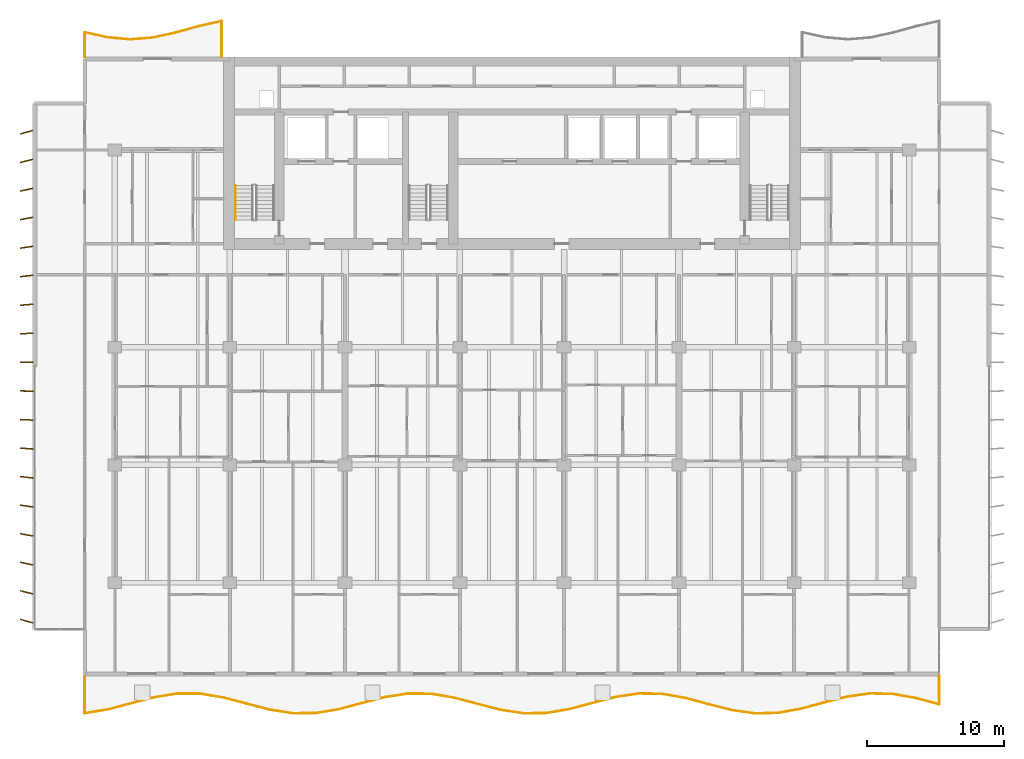
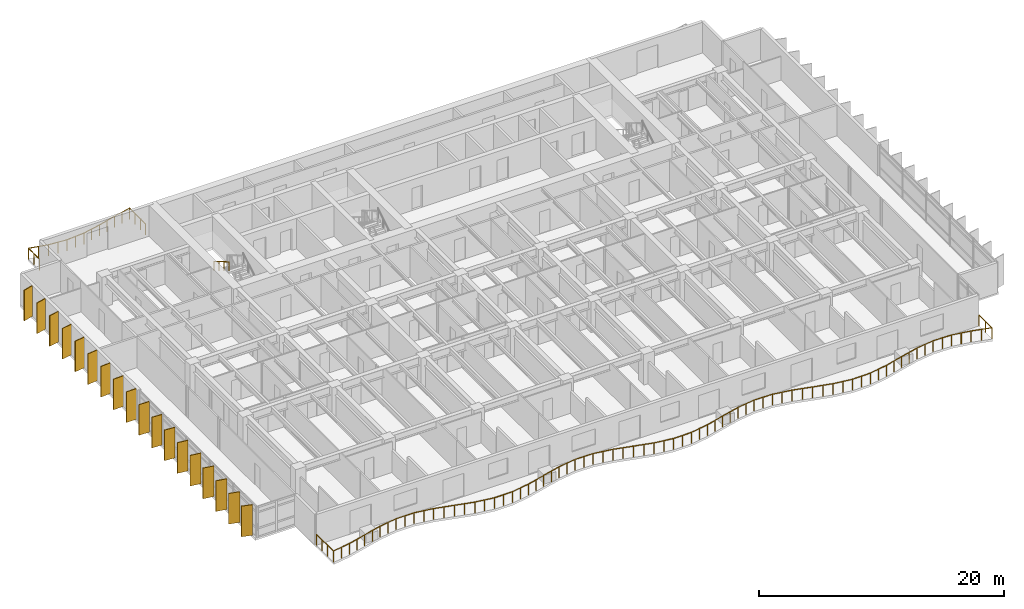
# One storey, part 15 of 18: 18 shading devices, 3 railings.
"""IFC4 building model written with IfcOpenShell, lengths in metres."""

from ifc_helpers import new_model, si_unit, direction, frame, origin, origin_2d, place, context, subcontext, project, spatial, rectangle, circle, extrude, material, material_profile, profile_set, type_object, element, save


model = new_model("IFC4")

# Units and contexts
model_context = context("Model", 3, precision=1e-05, world=origin(), true_north=direction((0.0, 1.0)))
body_context = subcontext(model_context, "Body", "Model", "MODEL_VIEW")
ifc_project = project(units=[si_unit("LENGTHUNIT", "METRE"), si_unit("AREAUNIT", "SQUARE_METRE"), si_unit("VOLUMEUNIT", "CUBIC_METRE"), si_unit("PLANEANGLEUNIT", "RADIAN"), si_unit("MASSUNIT", "GRAM", prefix="KILO")], contexts=[model_context])

# Site, building, storey
site_placement = place(None, origin())
site = spatial("IfcSite", under=ifc_project, at=site_placement, CompositionType="ELEMENT")
building_placement = place(site_placement, origin())
building = spatial("IfcBuilding", under=site, at=building_placement, Name="Caelmar Bay Residences", CompositionType="ELEMENT")
storey_placement = place(building_placement, frame((0.0, 0.0, 125.699951171875)))
storey = spatial("IfcBuildingStorey", under=building, at=storey_placement, Name="L34", CompositionType="ELEMENT", Elevation=125.699951171875)

# Railings
ifc_material_1 = material(Name="Anodised bronze handrail with laminated hurricane glass infill", Category="glass")
railing_type_1 = type_object("IfcRailingType", Name="RL-BAL-1100", PredefinedType="BALUSTRADE", material=ifc_material_1)
railing_1_placement = place(storey_placement, frame((7.699951171875, 5.39990234375, 0.0)))
element("IfcRailing", 1, at=railing_1_placement, inside=storey, type_object=railing_type_1, Name="L34 south Balcony Balustrade", PredefinedType="BALUSTRADE", context=body_context, shape_type="SweptSolid", body=[
    extrude(circle(Radius=0.02392578125, at=origin_2d()), frame((0.0, 0.0, 1.076171875), z_axis=(0.0, -1.0, 0.0), x_axis=(1.0, 0.0, 0.0)), (0.0, 0.0, 1.0), 2.733154296875),
    extrude(circle(Radius=0.02392578125, at=origin_2d()), frame((0.0, -2.733154296875, 1.076171875), z_axis=(0.987065173656, 0.160319502728, 0.0), x_axis=(-0.160319502728, 0.987065173656, 0.0)), (0.0, 0.0, 1.0), 1.708740234375),
    extrude(circle(Radius=0.02392578125, at=origin_2d()), frame((1.6865234375, -2.459228515625, 1.076171875), z_axis=(0.967208611975, 0.253983268981, 0.0), x_axis=(-0.253983268981, 0.967208611975, 0.0)), (0.0, 0.0, 1.0), 1.74365234375),
    extrude(circle(Radius=0.02392578125, at=origin_2d()), frame((3.373046875, -2.016357421875, 1.076171875), z_axis=(0.967380394838, 0.253328189673, 0.0), x_axis=(-0.253328189673, 0.967380394838, 0.0)), (0.0, 0.0, 1.0), 1.743408203125),
    extrude(circle(Radius=0.02392578125, at=origin_2d()), frame((5.0595703125, -1.57470703125, 1.076171875), z_axis=(0.987398669265, 0.158252544792, 0.0), x_axis=(-0.158252544792, 0.987398669265, 0.0)), (0.0, 0.0, 1.0), 1.707763671875),
    extrude(circle(Radius=0.02392578125, at=origin_2d()), frame((6.745849609375, -1.304443359375, 1.076171875), z_axis=(0.999995379373, -0.00303993963, 0.0), x_axis=(0.00303993963, 0.999995379373, 0.0)), (0.0, 0.0, 1.0), 1.6865234375),
    extrude(circle(Radius=0.02392578125, at=origin_2d()), frame((8.432373046875, -1.3095703125, 1.076171875), z_axis=(0.986655160989, -0.162823810586, 0.0), x_axis=(0.162823810586, 0.986655160989, 0.0)), (0.0, 0.0, 1.0), 1.709228515625),
    extrude(circle(Radius=0.02392578125, at=origin_2d()), frame((10.118896484375, -1.587890625, 1.076171875), z_axis=(0.966932964521, -0.255030668986, 0.0), x_axis=(0.255030668986, 0.966932964521, 0.0)), (0.0, 0.0, 1.0), 1.744140625),
    extrude(circle(Radius=0.02392578125, at=origin_2d()), frame((11.805419921875, -2.03271484375, 1.076171875), z_axis=(0.967654450577, -0.252279337795, 0.0), x_axis=(0.252279337795, 0.967654450577, 0.0)), (0.0, 0.0, 1.0), 1.742919921875),
    extrude(circle(Radius=0.02392578125, at=origin_2d()), frame((13.491943359375, -2.472412109375, 1.076171875), z_axis=(0.987823182146, -0.155580721218, 0.0), x_axis=(0.155580721218, 0.987823182146, 0.0)), (0.0, 0.0, 1.0), 1.707275390625),
    extrude(circle(Radius=0.02392578125, at=origin_2d()), frame((15.178466796875, -2.738037109375, 1.076171875), z_axis=(0.999979715819, 0.006369297553, 0.0), x_axis=(-0.006369297553, 0.999979715819, 0.0)), (0.0, 0.0, 1.0), 1.6865234375),
    extrude(circle(Radius=0.02392578125, at=origin_2d()), frame((16.864990234375, -2.727294921875, 1.076171875), z_axis=(0.986215858192, 0.165463836081, 0.0), x_axis=(-0.165463836081, 0.986215858192, 0.0)), (0.0, 0.0, 1.0), 1.710205078125),
    extrude(circle(Radius=0.02392578125, at=origin_2d()), frame((18.551513671875, -2.4443359375, 1.076171875), z_axis=(0.966716428408, 0.255850243395, 0.0), x_axis=(-0.255850243395, 0.966716428408, 0.0)), (0.0, 0.0, 1.0), 1.744384765625),
    extrude(circle(Radius=0.02392578125, at=origin_2d()), frame((20.23779296875, -1.998046875, 1.076171875), z_axis=(0.967927523166, 0.251229595981, 0.0), x_axis=(-0.251229595981, 0.967927523166, 0.0)), (0.0, 0.0, 1.0), 1.742431640625),
    extrude(circle(Radius=0.02392578125, at=origin_2d()), frame((21.92431640625, -1.560302734375, 1.076171875), z_axis=(0.988215723796, 0.153067577369, 0.0), x_axis=(-0.153067577369, 0.988215723796, 0.0)), (0.0, 0.0, 1.0), 1.70654296875),
    extrude(circle(Radius=0.02392578125, at=origin_2d()), frame((23.61083984375, -1.299072265625, 1.076171875), z_axis=(0.999952968989, -0.009698443677, 0.0), x_axis=(0.009698443677, 0.999952968989, 0.0)), (0.0, 0.0, 1.0), 1.6865234375),
    extrude(circle(Radius=0.02392578125, at=origin_2d()), frame((25.29736328125, -1.3154296875, 1.076171875), z_axis=(0.985793532406, -0.167961636891, 0.0), x_axis=(0.167961636891, 0.985793532406, 0.0)), (0.0, 0.0, 1.0), 1.7109375),
    extrude(circle(Radius=0.02392578125, at=origin_2d()), frame((26.98388671875, -1.602783203125, 1.076171875), z_axis=(0.966482957284, -0.256730779765, 0.0), x_axis=(0.256730779765, 0.966482957284, 0.0)), (0.0, 0.0, 1.0), 1.7451171875),
    extrude(circle(Radius=0.02392578125, at=origin_2d()), frame((28.67041015625, -2.05078125, 1.076171875), z_axis=(0.968165653022, -0.250310343992, 0.0), x_axis=(0.250310343992, 0.968165653022, 0.0)), (0.0, 0.0, 1.0), 1.741943359375),
    extrude(circle(Radius=0.02392578125, at=origin_2d()), frame((30.35693359375, -2.48681640625, 1.076171875), z_axis=(0.988641503108, -0.150292974991, 0.0), x_axis=(0.150292974991, 0.988641503108, 0.0)), (0.0, 0.0, 1.0), 1.70556640625),
    extrude(circle(Radius=0.02392578125, at=origin_2d()), frame((32.043212890625, -2.7431640625, 1.076171875), z_axis=(0.999915141552, 0.013027267333, 0.0), x_axis=(-0.013027267333, 0.999915141552, 0.0)), (0.0, 0.0, 1.0), 1.686767578125),
    extrude(circle(Radius=0.02392578125, at=origin_2d()), frame((33.729736328125, -2.72119140625, 1.076171875), z_axis=(0.985341285462, 0.170594698525, 0.0), x_axis=(-0.170594698525, 0.985341285462, 0.0)), (0.0, 0.0, 1.0), 1.711669921875),
    extrude(circle(Radius=0.02392578125, at=origin_2d()), frame((35.416259765625, -2.42919921875, 1.076171875), z_axis=(0.966309193943, 0.257384035445, 0.0), x_axis=(-0.257384035445, 0.966309193943, 0.0)), (0.0, 0.0, 1.0), 1.745361328125),
    extrude(circle(Radius=0.02392578125, at=origin_2d()), frame((37.102783203125, -1.97998046875, 1.076171875), z_axis=(0.968436874768, 0.249258940842, 0.0), x_axis=(-0.249258940842, 0.968436874768, 0.0)), (0.0, 0.0, 1.0), 1.741455078125),
    extrude(circle(Radius=0.02392578125, at=origin_2d()), frame((38.789306640625, -1.5458984375, 1.076171875), z_axis=(0.989045303054, 0.147612291177, 0.0), x_axis=(-0.147612291177, 0.989045303054, 0.0)), (0.0, 0.0, 1.0), 1.705322265625),
    extrude(circle(Radius=0.02392578125, at=origin_2d()), frame((40.475830078125, -1.294189453125, 1.076171875), z_axis=(0.999863859809, -0.016500359007, 0.0), x_axis=(0.016500359007, 0.999863859809, 0.0)), (0.0, 0.0, 1.0), 1.686767578125),
    extrude(circle(Radius=0.02392578125, at=origin_2d()), frame((42.162353515625, -1.322021484375, 1.076171875), z_axis=(0.984926778212, -0.172971794118, 0.0), x_axis=(0.172971794118, 0.984926778212, 0.0)), (0.0, 0.0, 1.0), 1.712158203125),
    extrude(circle(Radius=0.02392578125, at=origin_2d()), frame((43.8486328125, -1.6181640625, 1.076171875), z_axis=(0.96606528911, -0.258298000722, 0.0), x_axis=(0.258298000722, 0.96606528911, 0.0)), (0.0, 0.0, 1.0), 1.745849609375),
    extrude(circle(Radius=0.02392578125, at=origin_2d()), frame((45.53515625, -2.069091796875, 1.076171875), z_axis=(0.968740814455, -0.248075058015, 0.0), x_axis=(0.248075058015, 0.968740814455, 0.0)), (0.0, 0.0, 1.0), 1.740966796875),
    extrude(circle(Radius=0.02392578125, at=origin_2d()), frame((47.2216796875, -2.5009765625, 1.076171875), z_axis=(0.989459562503, -0.144809440893, 0.0), x_axis=(0.144809440893, 0.989459562503, 0.0)), (0.0, 0.0, 1.0), 1.70458984375),
    extrude(circle(Radius=0.02392578125, at=origin_2d()), frame((48.908203125, -2.747802734375, 1.076171875), z_axis=(0.999806261051, 0.01968350485, 0.0), x_axis=(-0.01968350485, 0.999806261051, 0.0)), (0.0, 0.0, 1.0), 1.686767578125),
    extrude(circle(Radius=0.02392578125, at=origin_2d()), frame((50.5947265625, -2.714599609375, 1.076171875), z_axis=(0.984466306135, 0.175573608737, 0.0), x_axis=(-0.175573608737, 0.984466306135, 0.0)), (0.0, 0.0, 1.0), 1.713134765625),
    extrude(circle(Radius=0.02392578125, at=origin_2d()), frame((52.28125, -2.413818359375, 1.076171875), z_axis=(0.965881240194, 0.258985385383, 0.0), x_axis=(-0.258985385383, 0.965881240194, 0.0)), (0.0, 0.0, 1.0), 1.745849609375),
    extrude(circle(Radius=0.02392578125, at=origin_2d()), frame((53.967529296875, -1.961669921875, 1.076171875), z_axis=(0.969043495909, 0.246890062652, 0.0), x_axis=(-0.246890062652, 0.969043495909, 0.0)), (0.0, 0.0, 1.0), 1.740478515625),
    extrude(circle(Radius=0.02392578125, at=origin_2d()), frame((55.654052734375, -1.531982421875, 1.076171875), z_axis=(0.989846061572, 0.142143499288, 0.0), x_axis=(-0.142143499288, 0.989846061572, 0.0)), (0.0, 0.0, 1.0), 1.703857421875),
    extrude(circle(Radius=0.02392578125, at=origin_2d()), frame((57.340576171875, -1.289794921875, 1.076171875), z_axis=(0.99973187913, -0.023155341729, 0.0), x_axis=(0.023155341729, 0.99973187913, 0.0)), (0.0, 0.0, 1.0), 1.68701171875),
    extrude(circle(Radius=0.02392578125, at=origin_2d()), frame((59.027099609375, -1.328857421875, 1.076171875), z_axis=(0.984044935077, -0.177920110583, 0.0), x_axis=(0.177920110583, 0.984044935077, 0.0)), (0.0, 0.0, 1.0), 1.7138671875),
    extrude(circle(Radius=0.02392578125, at=origin_2d()), frame((60.713623046875, -1.6337890625, 1.076171875), z_axis=(0.965715569581, -0.259602462755, 0.0), x_axis=(0.259602462755, 0.965715569581, 0.0)), (0.0, 0.0, 1.0), 1.746337890625),
    extrude(circle(Radius=0.02392578125, at=origin_2d()), frame((62.400146484375, -2.087158203125, 1.076171875), z_axis=(0.0, 1.0, 0.0), x_axis=(-1.0, 0.0, 0.0)), (0.0, 0.0, 1.0), 2.087158203125),
    extrude(circle(Radius=0.02099609375, at=origin_2d()), origin(), (0.0, 0.0, 1.0), 1.052001953125),
    extrude(circle(Radius=0.02099609375, at=origin_2d()), frame((0.0, -0.9111328125, 0.0)), (0.0, 0.0, 1.0), 1.052001953125),
    extrude(circle(Radius=0.02099609375, at=origin_2d()), frame((0.0, -1.822021484375, 0.0)), (0.0, 0.0, 1.0), 1.052001953125),
    extrude(circle(Radius=0.02099609375, at=origin_2d()), frame((0.0, -2.733154296875, 0.0)), (0.0, 0.0, 1.0), 1.052001953125),
    extrude(circle(Radius=0.02099609375, at=origin_2d()), frame((0.84326171875, -2.59619140625, 0.0)), (0.0, 0.0, 1.0), 1.052001953125),
    extrude(circle(Radius=0.02099609375, at=origin_2d()), frame((1.6865234375, -2.459228515625, 0.0)), (0.0, 0.0, 1.0), 1.052001953125),
    extrude(circle(Radius=0.02099609375, at=origin_2d()), frame((2.52978515625, -2.23779296875, 0.0)), (0.0, 0.0, 1.0), 1.052001953125),
    extrude(circle(Radius=0.02099609375, at=origin_2d()), frame((3.373046875, -2.016357421875, 0.0)), (0.0, 0.0, 1.0), 1.052001953125),
    extrude(circle(Radius=0.02099609375, at=origin_2d()), frame((4.21630859375, -1.79541015625, 0.0)), (0.0, 0.0, 1.0), 1.052001953125),
    extrude(circle(Radius=0.02099609375, at=origin_2d()), frame((5.0595703125, -1.57470703125, 0.0)), (0.0, 0.0, 1.0), 1.052001953125),
    extrude(circle(Radius=0.02099609375, at=origin_2d()), frame((5.90283203125, -1.439453125, 0.0)), (0.0, 0.0, 1.0), 1.052001953125),
    extrude(circle(Radius=0.02099609375, at=origin_2d()), frame((6.745849609375, -1.304443359375, 0.0)), (0.0, 0.0, 1.0), 1.052001953125),
    extrude(circle(Radius=0.02099609375, at=origin_2d()), frame((7.589111328125, -1.30712890625, 0.0)), (0.0, 0.0, 1.0), 1.052001953125),
    extrude(circle(Radius=0.02099609375, at=origin_2d()), frame((8.432373046875, -1.3095703125, 0.0)), (0.0, 0.0, 1.0), 1.052001953125),
    extrude(circle(Radius=0.02099609375, at=origin_2d()), frame((9.275634765625, -1.44873046875, 0.0)), (0.0, 0.0, 1.0), 1.052001953125),
    extrude(circle(Radius=0.02099609375, at=origin_2d()), frame((10.118896484375, -1.587890625, 0.0)), (0.0, 0.0, 1.0), 1.052001953125),
    extrude(circle(Radius=0.02099609375, at=origin_2d()), frame((10.962158203125, -1.810302734375, 0.0)), (0.0, 0.0, 1.0), 1.052001953125),
    extrude(circle(Radius=0.02099609375, at=origin_2d()), frame((11.805419921875, -2.03271484375, 0.0)), (0.0, 0.0, 1.0), 1.052001953125),
    extrude(circle(Radius=0.02099609375, at=origin_2d()), frame((12.648681640625, -2.25244140625, 0.0)), (0.0, 0.0, 1.0), 1.052001953125),
    extrude(circle(Radius=0.02099609375, at=origin_2d()), frame((13.491943359375, -2.472412109375, 0.0)), (0.0, 0.0, 1.0), 1.052001953125),
    extrude(circle(Radius=0.02099609375, at=origin_2d()), frame((14.335205078125, -2.605224609375, 0.0)), (0.0, 0.0, 1.0), 1.052001953125),
    extrude(circle(Radius=0.02099609375, at=origin_2d()), frame((15.178466796875, -2.738037109375, 0.0)), (0.0, 0.0, 1.0), 1.052001953125),
    extrude(circle(Radius=0.02099609375, at=origin_2d()), frame((16.021728515625, -2.732666015625, 0.0)), (0.0, 0.0, 1.0), 1.052001953125),
    extrude(circle(Radius=0.02099609375, at=origin_2d()), frame((16.864990234375, -2.727294921875, 0.0)), (0.0, 0.0, 1.0), 1.052001953125),
    extrude(circle(Radius=0.02099609375, at=origin_2d()), frame((17.708251953125, -2.5859375, 0.0)), (0.0, 0.0, 1.0), 1.052001953125),
    extrude(circle(Radius=0.02099609375, at=origin_2d()), frame((18.551513671875, -2.4443359375, 0.0)), (0.0, 0.0, 1.0), 1.052001953125),
    extrude(circle(Radius=0.02099609375, at=origin_2d()), frame((19.39453125, -2.22119140625, 0.0)), (0.0, 0.0, 1.0), 1.052001953125),
    extrude(circle(Radius=0.02099609375, at=origin_2d()), frame((20.23779296875, -1.998046875, 0.0)), (0.0, 0.0, 1.0), 1.052001953125),
    extrude(circle(Radius=0.02099609375, at=origin_2d()), frame((21.0810546875, -1.779296875, 0.0)), (0.0, 0.0, 1.0), 1.052001953125),
    extrude(circle(Radius=0.02099609375, at=origin_2d()), frame((21.92431640625, -1.560302734375, 0.0)), (0.0, 0.0, 1.0), 1.052001953125),
    extrude(circle(Radius=0.02099609375, at=origin_2d()), frame((22.767578125, -1.4296875, 0.0)), (0.0, 0.0, 1.0), 1.052001953125),
    extrude(circle(Radius=0.02099609375, at=origin_2d()), frame((23.61083984375, -1.299072265625, 0.0)), (0.0, 0.0, 1.0), 1.052001953125),
    extrude(circle(Radius=0.02099609375, at=origin_2d()), frame((24.4541015625, -1.30712890625, 0.0)), (0.0, 0.0, 1.0), 1.052001953125),
    extrude(circle(Radius=0.02099609375, at=origin_2d()), frame((25.29736328125, -1.3154296875, 0.0)), (0.0, 0.0, 1.0), 1.052001953125),
    extrude(circle(Radius=0.02099609375, at=origin_2d()), frame((26.140625, -1.458984375, 0.0)), (0.0, 0.0, 1.0), 1.052001953125),
    extrude(circle(Radius=0.02099609375, at=origin_2d()), frame((26.98388671875, -1.602783203125, 0.0)), (0.0, 0.0, 1.0), 1.052001953125),
    extrude(circle(Radius=0.02099609375, at=origin_2d()), frame((27.8271484375, -1.82666015625, 0.0)), (0.0, 0.0, 1.0), 1.052001953125),
    extrude(circle(Radius=0.02099609375, at=origin_2d()), frame((28.67041015625, -2.05078125, 0.0)), (0.0, 0.0, 1.0), 1.052001953125),
    extrude(circle(Radius=0.02099609375, at=origin_2d()), frame((29.513671875, -2.268798828125, 0.0)), (0.0, 0.0, 1.0), 1.052001953125),
    extrude(circle(Radius=0.02099609375, at=origin_2d()), frame((30.35693359375, -2.48681640625, 0.0)), (0.0, 0.0, 1.0), 1.052001953125),
    extrude(circle(Radius=0.02099609375, at=origin_2d()), frame((31.2001953125, -2.614990234375, 0.0)), (0.0, 0.0, 1.0), 1.052001953125),
    extrude(circle(Radius=0.02099609375, at=origin_2d()), frame((32.043212890625, -2.7431640625, 0.0)), (0.0, 0.0, 1.0), 1.052001953125),
    extrude(circle(Radius=0.02099609375, at=origin_2d()), frame((32.886474609375, -2.732177734375, 0.0)), (0.0, 0.0, 1.0), 1.052001953125),
    extrude(circle(Radius=0.02099609375, at=origin_2d()), frame((33.729736328125, -2.72119140625, 0.0)), (0.0, 0.0, 1.0), 1.052001953125),
    extrude(circle(Radius=0.02099609375, at=origin_2d()), frame((34.572998046875, -2.5751953125, 0.0)), (0.0, 0.0, 1.0), 1.052001953125),
    extrude(circle(Radius=0.02099609375, at=origin_2d()), frame((35.416259765625, -2.42919921875, 0.0)), (0.0, 0.0, 1.0), 1.052001953125),
    extrude(circle(Radius=0.02099609375, at=origin_2d()), frame((36.259521484375, -2.20458984375, 0.0)), (0.0, 0.0, 1.0), 1.052001953125),
    extrude(circle(Radius=0.02099609375, at=origin_2d()), frame((37.102783203125, -1.97998046875, 0.0)), (0.0, 0.0, 1.0), 1.052001953125),
    extrude(circle(Radius=0.02099609375, at=origin_2d()), frame((37.946044921875, -1.762939453125, 0.0)), (0.0, 0.0, 1.0), 1.052001953125),
    extrude(circle(Radius=0.02099609375, at=origin_2d()), frame((38.789306640625, -1.5458984375, 0.0)), (0.0, 0.0, 1.0), 1.052001953125),
    extrude(circle(Radius=0.02099609375, at=origin_2d()), frame((39.632568359375, -1.419921875, 0.0)), (0.0, 0.0, 1.0), 1.052001953125),
    extrude(circle(Radius=0.02099609375, at=origin_2d()), frame((40.475830078125, -1.294189453125, 0.0)), (0.0, 0.0, 1.0), 1.052001953125),
    extrude(circle(Radius=0.02099609375, at=origin_2d()), frame((41.319091796875, -1.30810546875, 0.0)), (0.0, 0.0, 1.0), 1.052001953125),
    extrude(circle(Radius=0.02099609375, at=origin_2d()), frame((42.162353515625, -1.322021484375, 0.0)), (0.0, 0.0, 1.0), 1.052001953125),
    extrude(circle(Radius=0.02099609375, at=origin_2d()), frame((43.00537109375, -1.47021484375, 0.0)), (0.0, 0.0, 1.0), 1.052001953125),
    extrude(circle(Radius=0.02099609375, at=origin_2d()), frame((43.8486328125, -1.6181640625, 0.0)), (0.0, 0.0, 1.0), 1.052001953125),
    extrude(circle(Radius=0.02099609375, at=origin_2d()), frame((44.69189453125, -1.84375, 0.0)), (0.0, 0.0, 1.0), 1.052001953125),
    extrude(circle(Radius=0.02099609375, at=origin_2d()), frame((45.53515625, -2.069091796875, 0.0)), (0.0, 0.0, 1.0), 1.052001953125),
    extrude(circle(Radius=0.02099609375, at=origin_2d()), frame((46.37841796875, -2.28515625, 0.0)), (0.0, 0.0, 1.0), 1.052001953125),
    extrude(circle(Radius=0.02099609375, at=origin_2d()), frame((47.2216796875, -2.5009765625, 0.0)), (0.0, 0.0, 1.0), 1.052001953125),
    extrude(circle(Radius=0.02099609375, at=origin_2d()), frame((48.06494140625, -2.62451171875, 0.0)), (0.0, 0.0, 1.0), 1.052001953125),
    extrude(circle(Radius=0.02099609375, at=origin_2d()), frame((48.908203125, -2.747802734375, 0.0)), (0.0, 0.0, 1.0), 1.052001953125),
    extrude(circle(Radius=0.02099609375, at=origin_2d()), frame((49.75146484375, -2.731201171875, 0.0)), (0.0, 0.0, 1.0), 1.052001953125),
    extrude(circle(Radius=0.02099609375, at=origin_2d()), frame((50.5947265625, -2.714599609375, 0.0)), (0.0, 0.0, 1.0), 1.052001953125),
    extrude(circle(Radius=0.02099609375, at=origin_2d()), frame((51.43798828125, -2.564208984375, 0.0)), (0.0, 0.0, 1.0), 1.052001953125),
    extrude(circle(Radius=0.02099609375, at=origin_2d()), frame((52.28125, -2.413818359375, 0.0)), (0.0, 0.0, 1.0), 1.052001953125),
    extrude(circle(Radius=0.02099609375, at=origin_2d()), frame((53.12451171875, -2.187744140625, 0.0)), (0.0, 0.0, 1.0), 1.052001953125),
    extrude(circle(Radius=0.02099609375, at=origin_2d()), frame((53.967529296875, -1.961669921875, 0.0)), (0.0, 0.0, 1.0), 1.052001953125),
    extrude(circle(Radius=0.02099609375, at=origin_2d()), frame((54.810791015625, -1.746826171875, 0.0)), (0.0, 0.0, 1.0), 1.052001953125),
    extrude(circle(Radius=0.02099609375, at=origin_2d()), frame((55.654052734375, -1.531982421875, 0.0)), (0.0, 0.0, 1.0), 1.052001953125),
    extrude(circle(Radius=0.02099609375, at=origin_2d()), frame((56.497314453125, -1.410888671875, 0.0)), (0.0, 0.0, 1.0), 1.052001953125),
    extrude(circle(Radius=0.02099609375, at=origin_2d()), frame((57.340576171875, -1.289794921875, 0.0)), (0.0, 0.0, 1.0), 1.052001953125),
    extrude(circle(Radius=0.02099609375, at=origin_2d()), frame((58.183837890625, -1.309326171875, 0.0)), (0.0, 0.0, 1.0), 1.052001953125),
    extrude(circle(Radius=0.02099609375, at=origin_2d()), frame((59.027099609375, -1.328857421875, 0.0)), (0.0, 0.0, 1.0), 1.052001953125),
    extrude(circle(Radius=0.02099609375, at=origin_2d()), frame((59.870361328125, -1.4814453125, 0.0)), (0.0, 0.0, 1.0), 1.052001953125),
    extrude(circle(Radius=0.02099609375, at=origin_2d()), frame((60.713623046875, -1.6337890625, 0.0)), (0.0, 0.0, 1.0), 1.052001953125),
    extrude(circle(Radius=0.02099609375, at=origin_2d()), frame((61.556884765625, -1.8603515625, 0.0)), (0.0, 0.0, 1.0), 1.052001953125),
    extrude(circle(Radius=0.02099609375, at=origin_2d()), frame((62.400146484375, -2.087158203125, 0.0)), (0.0, 0.0, 1.0), 1.052001953125),
    extrude(circle(Radius=0.02099609375, at=origin_2d()), frame((62.400146484375, -1.04345703125, 0.0)), (0.0, 0.0, 1.0), 1.052001953125),
    extrude(circle(Radius=0.02099609375, at=origin_2d()), frame((62.400146484375, 0.0, 0.0)), (0.0, 0.0, 1.0), 1.052001953125),
])
railing_2_placement = place(storey_placement, frame((17.699951171875, 50.60009765625, 0.0)))
element("IfcRailing", 2, at=railing_2_placement, inside=storey, type_object=railing_type_1, Name="L34 north_west Balcony Balustrade", PredefinedType="BALUSTRADE", context=body_context, shape_type="SweptSolid", body=[
    extrude(circle(Radius=0.02392578125, at=origin_2d()), frame((0.0, 0.0, 1.076171875), z_axis=(0.0, 1.0, 0.0), x_axis=(-1.0, 0.0, 0.0)), (0.0, 0.0, 1.0), 2.61328125),
    extrude(circle(Radius=0.02392578125, at=origin_2d()), frame((0.0, 2.61328125, 1.076171875), z_axis=(-0.97505844271, -0.22194826717, 0.0), x_axis=(0.22194826717, -0.97505844271, 0.0)), (0.0, 0.0, 1.0), 1.70947265625),
    extrude(circle(Radius=0.02392578125, at=origin_2d()), frame((-1.666748046875, 2.23388671875, 1.076171875), z_axis=(-0.963957656343, -0.266055702395, 0.0), x_axis=(0.266055702395, -0.963957656343, 0.0)), (0.0, 0.0, 1.0), 1.728759765625),
    extrude(circle(Radius=0.02392578125, at=origin_2d()), frame((-3.333251953125, 1.77392578125, 1.076171875), z_axis=(-0.976552526697, -0.215279266541, 0.0), x_axis=(0.215279266541, -0.976552526697, 0.0)), (0.0, 0.0, 1.0), 1.706787109375),
    extrude(circle(Radius=0.02392578125, at=origin_2d()), frame((-5.0, 1.406494140625, 1.076171875), z_axis=(-0.996664532496, -0.081607656901, 0.0), x_axis=(0.081607656901, -0.996664532496, 0.0)), (0.0, 0.0, 1.0), 1.67236328125),
    extrude(circle(Radius=0.02392578125, at=origin_2d()), frame((-6.666748046875, 1.27001953125, 1.076171875), z_axis=(-0.996222494494, 0.086837442752, 0.0), x_axis=(-0.086837442752, -0.996222494494, 0.0)), (0.0, 0.0, 1.0), 1.6728515625),
    extrude(circle(Radius=0.02392578125, at=origin_2d()), frame((-8.333251953125, 1.415283203125, 1.076171875), z_axis=(-0.975886786745, 0.218277299452, 0.0), x_axis=(-0.218277299452, -0.975886786745, 0.0)), (0.0, 0.0, 1.0), 1.7080078125),
    extrude(circle(Radius=0.02392578125, at=origin_2d()), frame((-10.0, 1.7880859375, 1.076171875), z_axis=(0.0, -1.0, 0.0), x_axis=(1.0, 0.0, 0.0)), (0.0, 0.0, 1.0), 1.7880859375),
    extrude(circle(Radius=0.02099609375, at=origin_2d()), origin(), (0.0, 0.0, 1.0), 1.052001953125),
    extrude(circle(Radius=0.02099609375, at=origin_2d()), frame((0.0, 0.87109375, 0.0)), (0.0, 0.0, 1.0), 1.052001953125),
    extrude(circle(Radius=0.02099609375, at=origin_2d()), frame((0.0, 1.7421875, 0.0)), (0.0, 0.0, 1.0), 1.052001953125),
    extrude(circle(Radius=0.02099609375, at=origin_2d()), frame((0.0, 2.61328125, 0.0)), (0.0, 0.0, 1.0), 1.052001953125),
    extrude(circle(Radius=0.02099609375, at=origin_2d()), frame((-0.83349609375, 2.423583984375, 0.0)), (0.0, 0.0, 1.0), 1.052001953125),
    extrude(circle(Radius=0.02099609375, at=origin_2d()), frame((-1.666748046875, 2.23388671875, 0.0)), (0.0, 0.0, 1.0), 1.052001953125),
    extrude(circle(Radius=0.02099609375, at=origin_2d()), frame((-2.5, 2.00390625, 0.0)), (0.0, 0.0, 1.0), 1.052001953125),
    extrude(circle(Radius=0.02099609375, at=origin_2d()), frame((-3.333251953125, 1.77392578125, 0.0)), (0.0, 0.0, 1.0), 1.052001953125),
    extrude(circle(Radius=0.02099609375, at=origin_2d()), frame((-4.16650390625, 1.59033203125, 0.0)), (0.0, 0.0, 1.0), 1.052001953125),
    extrude(circle(Radius=0.02099609375, at=origin_2d()), frame((-5.0, 1.406494140625, 0.0)), (0.0, 0.0, 1.0), 1.052001953125),
    extrude(circle(Radius=0.02099609375, at=origin_2d()), frame((-5.83349609375, 1.33837890625, 0.0)), (0.0, 0.0, 1.0), 1.052001953125),
    extrude(circle(Radius=0.02099609375, at=origin_2d()), frame((-6.666748046875, 1.27001953125, 0.0)), (0.0, 0.0, 1.0), 1.052001953125),
    extrude(circle(Radius=0.02099609375, at=origin_2d()), frame((-7.5, 1.3427734375, 0.0)), (0.0, 0.0, 1.0), 1.052001953125),
    extrude(circle(Radius=0.02099609375, at=origin_2d()), frame((-8.333251953125, 1.415283203125, 0.0)), (0.0, 0.0, 1.0), 1.052001953125),
    extrude(circle(Radius=0.02099609375, at=origin_2d()), frame((-9.16650390625, 1.6015625, 0.0)), (0.0, 0.0, 1.0), 1.052001953125),
    extrude(circle(Radius=0.02099609375, at=origin_2d()), frame((-10.0, 1.7880859375, 0.0)), (0.0, 0.0, 1.0), 1.052001953125),
    extrude(circle(Radius=0.02099609375, at=origin_2d()), frame((-10.0, 0.89404296875, 0.0)), (0.0, 0.0, 1.0), 1.052001953125),
    extrude(circle(Radius=0.02099609375, at=origin_2d()), frame((-10.0, 0.0, 0.0)), (0.0, 0.0, 1.0), 1.052001953125),
])
ifc_material_2 = material(Name="Brushed bronze stainless-steel tubular handrail 900 mm", Category="steel")
railing_type_2 = type_object("IfcRailingType", Name="RL-HND-900", PredefinedType="HANDRAIL", material=ifc_material_2)
railing_3_placement = place(storey_placement, frame((18.699951171875, 41.219970703125, 1.81494140625)))
element("IfcRailing", 3, at=railing_3_placement, inside=storey, type_object=railing_type_2, Name="L34 ST1 stair handrail 2", PredefinedType="HANDRAIL", context=body_context, shape_type="SweptSolid", body=[
    extrude(circle(Radius=0.02392578125, at=origin_2d()), frame((0.0, 0.0, 0.8759765625), z_axis=(0.0, -0.86152411907, 0.507716645641), x_axis=(1.0, 0.0, 0.0)), (0.0, 0.0, 1.0), 2.925048828125),
    extrude(circle(Radius=0.02099609375, at=origin_2d()), origin(), (0.0, 0.0, 1.0), 0.851806640625),
    extrude(circle(Radius=0.02099609375, at=origin_2d()), frame((0.0, -0.840087890625, 0.4951171875)), (0.0, 0.0, 1.0), 0.851806640625),
    extrude(circle(Radius=0.02099609375, at=origin_2d()), frame((0.0, -1.679931640625, 0.989990234375)), (0.0, 0.0, 1.0), 0.851806640625),
    extrude(circle(Radius=0.02099609375, at=origin_2d()), frame((0.0, -2.52001953125, 1.485107421875)), (0.0, 0.0, 1.0), 0.851806640625),
])

# Shading devices
ifc_material_3 = material(Name="Anodised architectural bronze aluminium 6063-T6", Category="aluminium")
ifc_material_profile = material_profile(ifc_material_3, rectangle(XDim=0.074951171875, YDim=0.949951171875, at=origin_2d()), Name="BRONZE-FIN-75X950")
ifc_profile_set = profile_set([ifc_material_profile], Name="Anodised architectural bronze aluminium 6063-T6")
shading_device_type = type_object("IfcShadingDeviceType", Name="SHD-FIN-950", PredefinedType="USERDEFINED", material=ifc_profile_set)
for number, where, z_axis, x_axis, name in (
    (4, (3.449951171875, 9.39990234375, 0.0), (0.0, 0.0, 1.0), (0.275637355817, 0.961261695938, 0.0), "L34 West Bronze Solar Fin 1"),
    (5, (3.449951171875, 11.5, 0.0), (0.0, 0.0, 1.0), (0.243953546137, 0.969786918517, 0.0), "L34 West Bronze Solar Fin 2"),
    (6, (3.449951171875, 13.60009765625, 0.0), (0.0, 0.0, 1.0), (0.212007109922, 0.977268123568, 0.0), "L34 West Bronze Solar Fin 3"),
    (7, (3.449951171875, 15.699951171875, 0.0), (0.0, 0.0, 1.0), (0.179660748593, 0.98372862895, 0.0), "L34 West Bronze Solar Fin 4"),
    (8, (3.449951171875, 17.800048828125, 0.0), (0.0, 0.0, 1.0), (0.147291543397, 0.989093120613, 0.0), "L34 West Bronze Solar Fin 5"),
    (9, (3.449951171875, 19.89990234375, 0.0), (0.0, 0.0, 1.0), (0.114763772489, 0.993392810787, 0.0), "L34 West Bronze Solar Fin 6"),
    (10, (3.449951171875, 22.0, 0.0), (0.0, 0.0, 1.0), (0.08211245342, 0.996623070671, 0.0), "L34 West Bronze Solar Fin 7"),
    (11, (3.449951171875, 24.10009765625, 0.0), (0.0, 0.0, 1.0), (0.049198415926, 0.998789024705, 0.0), "L34 West Bronze Solar Fin 8"),
    (12, (3.449951171875, 26.199951171875, 0.0), (0.0, 0.0, 1.0), (0.016405359001, 0.999865423043, 0.0), "L34 West Bronze Solar Fin 9"),
    (13, (3.449951171875, 28.300048828125, 0.0), (0.0, 0.0, 1.0), (-0.016405359001, 0.999865423043, 0.0), "L34 West Bronze Solar Fin 10"),
    (14, (3.449951171875, 30.39990234375, 0.0), (0.0, 0.0, 1.0), (-0.049198415926, 0.998789024705, 0.0), "L34 West Bronze Solar Fin 11"),
    (15, (3.449951171875, 32.5, 0.0), (0.0, 0.0, 1.0), (-0.08211245342, 0.996623070671, 0.0), "L34 West Bronze Solar Fin 12"),
    (16, (3.449951171875, 34.60009765625, 0.0), (0.0, 0.0, 1.0), (-0.114763772489, 0.993392810787, 0.0), "L34 West Bronze Solar Fin 13"),
    (17, (3.449951171875, 36.699951171875, 0.0), (0.0, 0.0, 1.0), (-0.147291543397, 0.989093120613, 0.0), "L34 West Bronze Solar Fin 14"),
    (18, (3.449951171875, 38.800048828125, 0.0), (0.0, 0.0, 1.0), (-0.179660748593, 0.98372862895, 0.0), "L34 West Bronze Solar Fin 15"),
    (19, (3.449951171875, 40.89990234375, 0.0), (0.0, 0.0, 1.0), (-0.212007109922, 0.977268123568, 0.0), "L34 West Bronze Solar Fin 16"),
    (20, (3.449951171875, 43.0, 0.0), (0.0, 0.0, 1.0), (-0.243953546137, 0.969786918517, 0.0), "L34 West Bronze Solar Fin 17"),
    (21, (3.449951171875, 45.10009765625, 0.0), (0.0, 0.0, 1.0), (-0.275637355817, 0.961261695938, 0.0), "L34 West Bronze Solar Fin 18"),
):
    element("IfcShadingDevice", number, at=place(storey_placement, frame(where, z_axis=z_axis, x_axis=x_axis)), inside=storey, type_object=shading_device_type, Name=name, ObjectType="FIN", PredefinedType="USERDEFINED", context=body_context, shape_type="SweptSolid", body=[
        extrude(rectangle(XDim=0.074951171875, YDim=0.949951171875, at=origin_2d()), origin(), (0.0, 0.0, 1.0), 3.050048828125),
    ])

save(model, "model.ifc")
